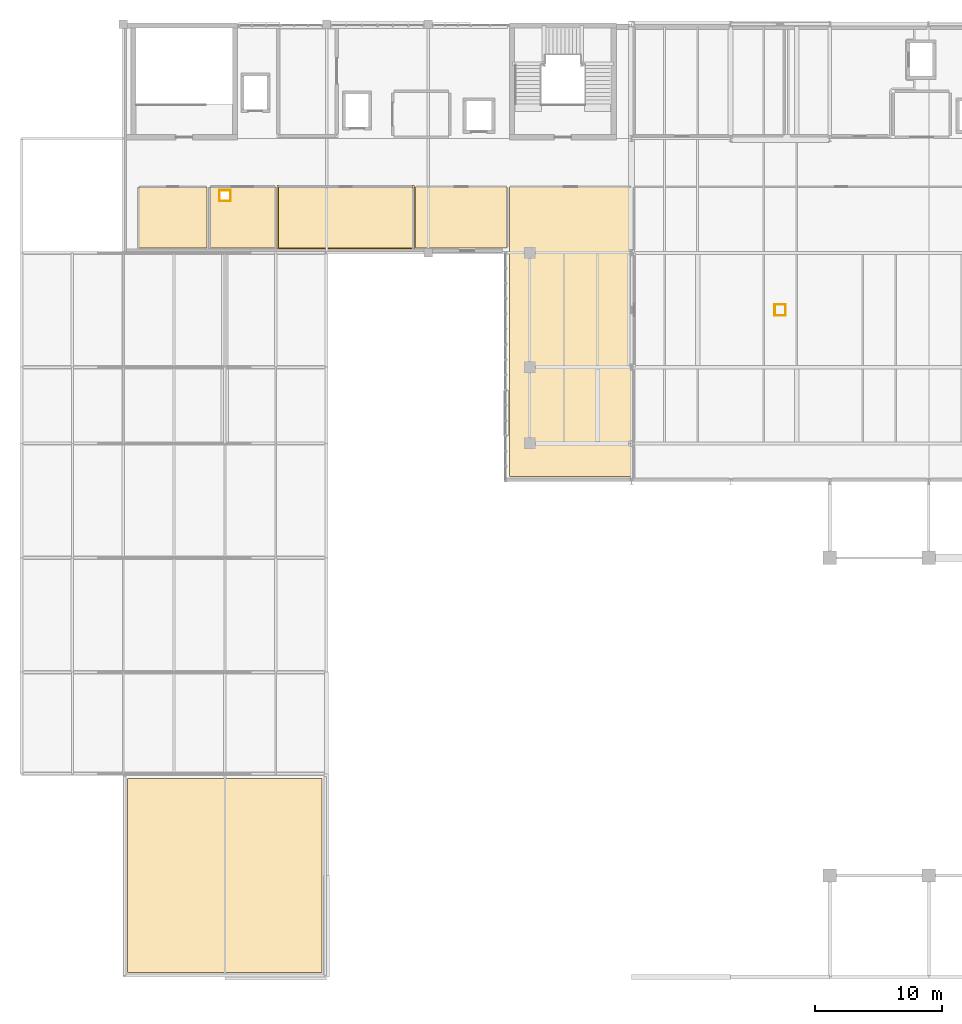
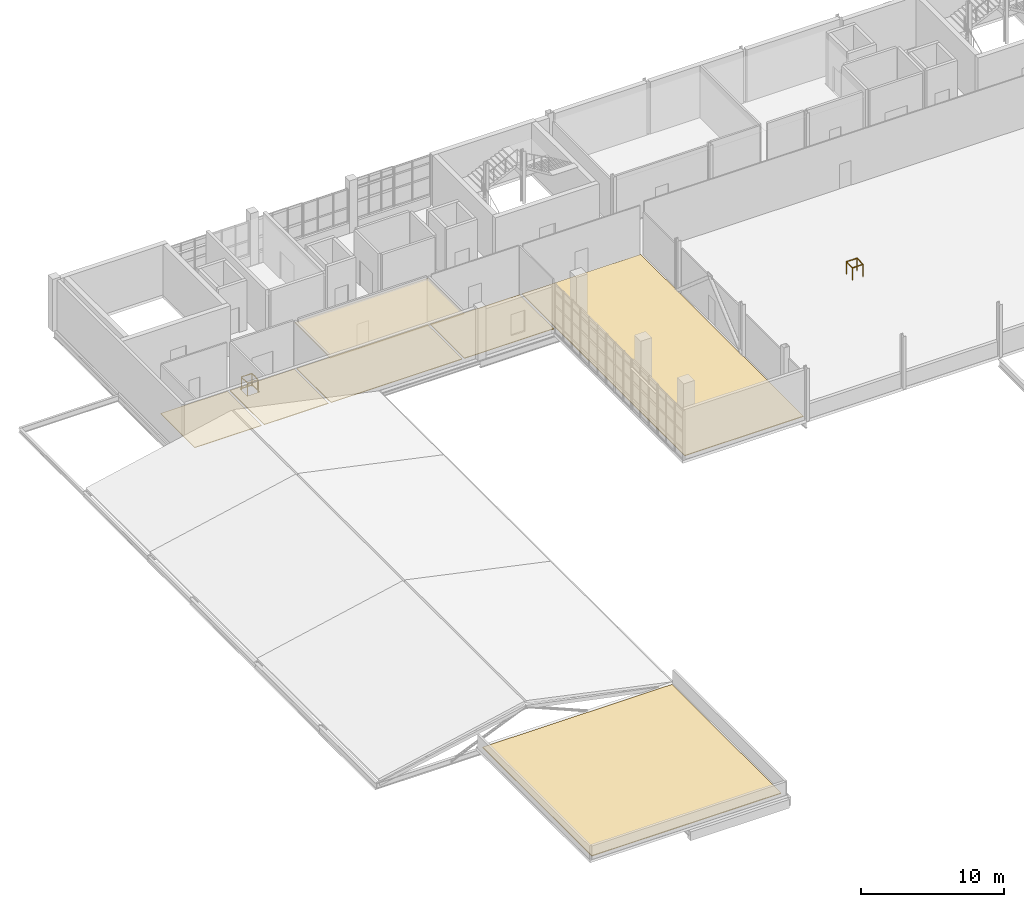
# One storey, part 36 of 38: 8 railings, 7 coverings.
"""IFC4 building model written with IfcOpenShell, lengths in metres."""

import ifcopenshell
import ifcopenshell.guid

model = None  # the IFC model being written
_history = None  # IfcOwnerHistory: only IFC2X3 demands one
_inside = {}  # id of a spatial element -> (the spatial element, [elements in it])
_under = {}  # id of a project, library or spatial element -> (it, [spatial elements below it])
_declared = {}  # id of a project -> (the project, [libraries it declares])
_typed = {}  # id of a type object -> (the type object, [elements of that type])
_made_of = {}  # id of a material, layer set ... -> (it, [elements and type objects made of it])


def new_model(schema):
    """Start an empty IFC model of exactly this schema.

    Asked for "IFC4X3", IfcOpenShell would pick the latest addendum, in which some entities
    have other attributes; the version numbers below select the first issue.
    IFC2X3 requires an IfcOwnerHistory on every rooted entity: one is made here for all.
    """
    global model, _history
    if schema == "IFC4X3":
        model = ifcopenshell.file(schema_version=(4, 3, 0, 0))
    else:
        model = ifcopenshell.file(schema=schema)
    _inside.clear()
    _under.clear()
    _declared.clear()
    _typed.clear()
    _made_of.clear()
    _history = None
    if model.schema == "IFC2X3":
        org = make("IfcOrganization", Name="unknown")
        user = make(
            "IfcPersonAndOrganization",
            ThePerson=make("IfcPerson", FamilyName="unknown"),
            TheOrganization=org,
        )
        app = make(
            "IfcApplication",
            ApplicationDeveloper=org,
            Version="unknown",
            ApplicationFullName="unknown",
            ApplicationIdentifier="unknown",
        )
        _history = make(
            "IfcOwnerHistory",
            OwningUser=user,
            OwningApplication=app,
            ChangeAction="ADDED",
            CreationDate=0,
        )
    return model


def make(cls, **values):
    """One entity of the class cls with the attributes given. An attribute that is None is left unset."""
    return model.create_entity(
        cls, **{name: value for name, value in values.items() if value is not None}
    )


def rooted(cls, **values):
    """An entity with a GlobalId (a new one), such as an element, a storey or a relation."""
    return make(cls, GlobalId=ifcopenshell.guid.new(), OwnerHistory=_history, **values)


def si_unit(unit_type, name, prefix=None):
    """IfcSIUnit, for example si_unit("LENGTHUNIT", "METRE", prefix="MILLI")."""
    return make("IfcSIUnit", UnitType=unit_type, Prefix=prefix, Name=name)


def derived_unit(unit_type, elements):
    """IfcDerivedUnit: a product of units, each with its exponent."""
    return make(
        "IfcDerivedUnit",
        Elements=[
            make("IfcDerivedUnitElement", Unit=unit, Exponent=power)
            for unit, power in elements
        ],
        UnitType=unit_type,
    )


def assignment(units):
    """IfcUnitAssignment: the units of a project."""
    return None if units is None else make("IfcUnitAssignment", Units=units)


def point(xyz):
    """IfcCartesianPoint."""
    return None if xyz is None else make("IfcCartesianPoint", Coordinates=xyz)


def direction(xyz):
    """IfcDirection."""
    return None if xyz is None else make("IfcDirection", DirectionRatios=xyz)


def frame(location, z_axis=None, x_axis=None):
    """IfcAxis2Placement3D, a coordinate frame: its origin and axes. An axis left out is left unset."""
    return make(
        "IfcAxis2Placement3D",
        Location=point(location),
        Axis=direction(z_axis),
        RefDirection=direction(x_axis),
    )


def frame_2d(location, x_axis=None):
    """IfcAxis2Placement2D, a coordinate frame in the plane: its origin and x axis."""
    return make(
        "IfcAxis2Placement2D", Location=point(location), RefDirection=direction(x_axis)
    )


def origin():
    """The frame at (0, 0, 0) with its axes left unset."""
    return frame((0.0, 0.0, 0.0))


def origin_2d():
    """The frame at (0, 0) in the plane with its x axis left unset."""
    return frame_2d((0.0, 0.0))


def place(relative_to, where):
    """IfcLocalPlacement: puts the frame where relative to a parent placement (None: the world)."""
    return make(
        "IfcLocalPlacement", PlacementRelTo=relative_to, RelativePlacement=where
    )


def context(
    kind, dimensions, precision=None, world=None, true_north=None, identifier=None
):
    """IfcGeometricRepresentationContext, for example the 3D "Model" context."""
    return make(
        "IfcGeometricRepresentationContext",
        ContextIdentifier=identifier,
        ContextType=kind,
        CoordinateSpaceDimension=dimensions,
        Precision=precision,
        WorldCoordinateSystem=world,
        TrueNorth=true_north,
    )


def subcontext(parent, identifier, kind, view, scale=None):
    """IfcGeometricRepresentationSubContext, for example "Body" below "Model"."""
    return make(
        "IfcGeometricRepresentationSubContext",
        ContextIdentifier=identifier,
        ContextType=kind,
        ParentContext=parent,
        TargetScale=scale,
        TargetView=view,
    )


def project(units=None, contexts=None):
    """IfcProject with its units and contexts."""
    return rooted(
        "IfcProject",
        Name="project",
        RepresentationContexts=contexts,
        UnitsInContext=assignment(units),
    )


def spatial(cls, under=None, at=None, **own):
    """A site, building, storey or space (cls), placed at a placement, below another one or the project."""
    s = rooted(cls, ObjectPlacement=at, **own)
    if under is not None:
        _under.setdefault(under.id(), (under, []))[1].append(s)
    return s


def polyline(points):
    """IfcPolyline through the points."""
    return make("IfcPolyline", Points=[point(p) for p in points])


def profile(cls, at=None, kind="AREA", **sizes):
    """A parametric profile (cls). Its sizes go by their IFC names, for example OverallWidth=200.0."""
    return make(cls, ProfileType=kind, Position=at, **sizes)


def circle(**sizes):
    """IfcCircleProfileDef."""
    return profile("IfcCircleProfileDef", **sizes)


def outline(outer, holes=None, kind="AREA"):
    """IfcArbitraryClosedProfileDef: a profile drawn as a closed curve; with holes, ...WithVoids."""
    if holes is None:
        return make("IfcArbitraryClosedProfileDef", ProfileType=kind, OuterCurve=outer)
    return make(
        "IfcArbitraryProfileDefWithVoids",
        ProfileType=kind,
        OuterCurve=outer,
        InnerCurves=holes,
    )


def extrude(swept, where, along, depth):
    """IfcExtrudedAreaSolid: the profile swept, set in the frame where, extruded along a direction by depth."""
    return make(
        "IfcExtrudedAreaSolid",
        SweptArea=swept,
        Position=where,
        ExtrudedDirection=direction(along),
        Depth=depth,
    )


def shape(context_of_items, identifier, shape_type, items):
    """IfcShapeRepresentation: the items that make up one representation, for example the "Body"."""
    return make(
        "IfcShapeRepresentation",
        ContextOfItems=context_of_items,
        RepresentationIdentifier=identifier,
        RepresentationType=shape_type,
        Items=items,
    )


def material(Name=None, Category=None):
    """IfcMaterial."""
    return make("IfcMaterial", Name=Name, Category=Category)


def layer(
    of_material, thickness, ventilated=None, Name=None, Category=None, Priority=None
):
    """IfcMaterialLayer: one layer of a wall or slab, of a material (None: an air gap)."""
    return make(
        "IfcMaterialLayer",
        Material=of_material,
        LayerThickness=thickness,
        IsVentilated=ventilated,
        Name=Name,
        Category=Category,
        Priority=Priority,
    )


def layer_set(layers, Name=None):
    """IfcMaterialLayerSet."""
    return make("IfcMaterialLayerSet", MaterialLayers=layers, LayerSetName=Name)


def made_of(thing, what):
    """Note that an element or type object is made of a material, layer set ...; save() writes the relation."""
    if what is not None:
        _made_of.setdefault(what.id(), (what, []))[1].append(thing)
    return thing


def type_object(cls, material=None, **own):
    """A type object (cls), such as IfcWallType, which elements share."""
    return made_of(rooted(cls, **own), material)


def element(
    cls,
    number,
    at=None,
    inside=None,
    cuts=None,
    type_object=None,
    material=None,
    context=None,
    identifier="Body",
    shape_type=None,
    held_by="IfcProductDefinitionShape",
    body=None,
    shapes=None,
    **own,
):
    """One element of the class cls, such as IfcWall. Its Tag is "e" and its number.

    at: its placement. inside: the storey or other place that contains it. cuts: it is an
    opening in that element (IfcRelVoidsElement). A single representation is given by context,
    identifier, shape_type and body (its items); several are given by shapes. held_by: the class
    of the entity that holds the representations. save() writes the other relations.
    """
    e = rooted(cls, Tag="e%d" % number, ObjectPlacement=at, **own)
    if body is not None:
        shapes = [shape(context, identifier, shape_type, body)]
    if shapes is not None:
        e.Representation = make(held_by, Representations=shapes)
    if inside is not None:
        _inside.setdefault(inside.id(), (inside, []))[1].append(e)
    if cuts is not None:
        rooted(
            "IfcRelVoidsElement", RelatingBuildingElement=cuts, RelatedOpeningElement=e
        )
    if type_object is not None:
        _typed.setdefault(type_object.id(), (type_object, []))[1].append(e)
    return made_of(e, material)


def aggregate(whole, parts):
    """IfcRelAggregates: a whole, such as a stair, and the parts it consists of."""
    return rooted("IfcRelAggregates", RelatingObject=whole, RelatedObjects=parts)


def save(model, path):
    """Write the relations noted so far, then the file.

    IfcRelAggregates (storeys below a building ...), IfcRelContainedInSpatialStructure (elements
    in a storey), IfcRelDefinesByType, IfcRelAssociatesMaterial and IfcRelDeclares: one each for
    every whole, place, type object, material and project.
    """
    for whole, parts in _under.values():
        aggregate(whole, parts)
    for where, things in _inside.values():
        rooted(
            "IfcRelContainedInSpatialStructure",
            RelatedElements=things,
            RelatingStructure=where,
        )
    for kind, things in _typed.values():
        rooted("IfcRelDefinesByType", RelatedObjects=things, RelatingType=kind)
    for what, things in _made_of.values():
        rooted("IfcRelAssociatesMaterial", RelatedObjects=things, RelatingMaterial=what)
    for by, libraries in _declared.values():
        rooted("IfcRelDeclares", RelatingContext=by, RelatedDefinitions=libraries)
    model.write(path)


model = new_model("IFC4")

# Units and contexts
model_context = context("Model", 3, precision=1e-05, world=origin(), true_north=direction((0.0, 1.0)))
body_context = subcontext(model_context, "Body", "Model", "MODEL_VIEW")
ifc_project = project(units=[si_unit("LENGTHUNIT", "METRE"), si_unit("AREAUNIT", "SQUARE_METRE"), si_unit("VOLUMEUNIT", "CUBIC_METRE"), si_unit("PLANEANGLEUNIT", "RADIAN"), si_unit("MASSUNIT", "GRAM", prefix="KILO"), derived_unit("THERMALTRANSMITTANCEUNIT", [(si_unit("POWERUNIT", "WATT"), 1), (si_unit("LENGTHUNIT", "METRE"), -2), (si_unit("THERMODYNAMICTEMPERATUREUNIT", "KELVIN"), -1)])], contexts=[model_context])

# Site, building, storey
site_placement = place(None, origin())
site = spatial("IfcSite", under=ifc_project, at=site_placement, CompositionType="ELEMENT")
building_placement = place(site_placement, origin())
building = spatial("IfcBuilding", under=site, at=building_placement, Name="Nallur Shell Playhouse", CompositionType="ELEMENT")
storey_placement = place(building_placement, frame((0.0, 0.0, 24.300048828125)))
storey = spatial("IfcBuildingStorey", under=building, at=storey_placement, Name="L06", CompositionType="ELEMENT", Elevation=24.300048828125)

# Coverings
ifc_material_1 = material(Name="Micro-Perforated Teak Veneer Acoustic Baffle Ceiling")
ifc_layer_1 = layer(ifc_material_1, 0.044921875)
ifc_layer_set_1 = layer_set([ifc_layer_1], Name="Micro-Perforated Teak Veneer Acoustic Baffle Ceiling")
covering_type_1 = type_object("IfcCoveringType", Name="CV-CEIL-AC1", PredefinedType="CEILING", material=ifc_layer_set_1)
covering_1_placement = place(storey_placement, frame((0.0, 0.0, 3.905029296875)))
element("IfcCovering", 1, at=covering_1_placement, inside=storey, type_object=covering_type_1, Name="Artistic Director & Executive Management Suite suspended acoustic ceiling", PredefinedType="CEILING", context=body_context, shape_type="SweptSolid", body=[
    extrude(outline(polyline([(36.090087890625, 65.2900390625), (36.090087890625, 70.31005859375), (46.909912109375, 70.31005859375), (46.909912109375, 65.2900390625), (36.090087890625, 65.2900390625)])), origin(), (0.0, 0.0, 1.0), 0.044921875),
])
ifc_material_2 = material(Name="Polished Chettinad Oxide & White Marble Terrazzo Flooring", Category="masonry")
ifc_layer_2 = layer(ifc_material_2, 0.050048828125)
ifc_layer_set_2 = layer_set([ifc_layer_2], Name="Polished Chettinad Oxide & White Marble Terrazzo Flooring")
covering_type_2 = type_object("IfcCoveringType", Name="CV-FLOR-TERRAZZO", PredefinedType="FLOORING", material=ifc_layer_set_2)
covering_2_placement = place(storey_placement, origin())
element("IfcCovering", 2, at=covering_2_placement, inside=storey, type_object=covering_type_2, Name="Artistic Director & Executive Management Suite floor finish", PredefinedType="FLOORING", context=body_context, shape_type="SweptSolid", body=[
    extrude(outline(polyline([(36.199951171875, 65.39990234375), (36.199951171875, 70.199951171875), (46.800048828125, 70.199951171875), (46.800048828125, 65.39990234375), (36.199951171875, 65.39990234375)])), origin(), (0.0, 0.0, 1.0), 0.050048828125),
])
covering_3_placement = place(storey_placement, origin())
element("IfcCovering", 3, at=covering_3_placement, inside=storey, type_object=covering_type_2, Name="Company Green-Room Pantry & Refreshment Bar floor finish", PredefinedType="FLOORING", context=body_context, shape_type="SweptSolid", body=[
    extrude(outline(polyline([(47.0, 65.39990234375), (47.0, 70.199951171875), (54.199951171875, 70.199951171875), (54.199951171875, 65.39990234375), (47.0, 65.39990234375)])), origin(), (0.0, 0.0, 1.0), 0.050048828125),
])
covering_4_placement = place(storey_placement, origin())
element("IfcCovering", 4, at=covering_4_placement, inside=storey, type_object=covering_type_2, Name="Level 06 Production & Gridiron Accessible Restroom floor finish", PredefinedType="FLOORING", context=body_context, shape_type="SweptSolid", body=[
    extrude(outline(polyline([(25.199951171875, 70.199951171875), (30.60009765625, 70.199951171875), (30.60009765625, 65.39990234375), (25.199951171875, 65.39990234375), (25.199951171875, 70.199951171875)])), origin(), (0.0, 0.0, 1.0), 0.050048828125),
])
ifc_material_3 = material(Name="Sprung Semi-Resilient Stage & Dance Hardwood Flooring", Category="wood")
ifc_layer_3 = layer(ifc_material_3, 0.054931640625)
ifc_layer_set_3 = layer_set([ifc_layer_3], Name="Sprung Semi-Resilient Stage & Dance Hardwood Flooring")
covering_type_3 = type_object("IfcCoveringType", Name="CV-FLOR-TIMBER", PredefinedType="FLOORING", material=ifc_layer_set_3)
covering_5_placement = place(storey_placement, origin())
element("IfcCovering", 5, at=covering_5_placement, inside=storey, type_object=covering_type_3, Name="Motorised Fly Winch & Rigging Control Room floor finish", PredefinedType="FLOORING", context=body_context, shape_type="SweptSolid", body=[
    extrude(outline(polyline([(54.39990234375, 47.39990234375), (54.39990234375, 70.199951171875), (64.0, 70.199951171875), (64.0, 47.39990234375), (54.39990234375, 47.39990234375)])), origin(), (0.0, 0.0, 1.0), 0.054931640625),
])
covering_6_placement = place(storey_placement, origin())
element("IfcCovering", 6, at=covering_6_placement, inside=storey, type_object=covering_type_3, Name="Experimental Drama & Mask Workshop floor finish", PredefinedType="FLOORING", context=body_context, shape_type="SweptSolid", body=[
    extrude(outline(polyline([(30.800048828125, 70.199951171875), (36.0, 70.199951171875), (36.0, 65.39990234375), (30.800048828125, 65.39990234375), (30.800048828125, 70.199951171875)]), holes=[polyline([(31.5, 70.0), (31.5, 69.0), (32.5, 69.0), (32.5, 70.0), (31.5, 70.0)])]), origin(), (0.0, 0.0, 1.0), 0.054931640625),
])
ifc_material_4 = material(Name="TPO Reflective Waterproofing & Rigid PIR Roof Insulation")
ifc_layer_4 = layer(ifc_material_4, 0.06494140625)
ifc_layer_set_4 = layer_set([ifc_layer_4], Name="TPO Reflective Waterproofing & Rigid PIR Roof Insulation")
covering_type_4 = type_object("IfcCoveringType", Name="CV-ROOF-MEMB1", PredefinedType="ROOFING", material=ifc_layer_set_4)
covering_7_placement = place(storey_placement, origin())
element("IfcCovering", 7, at=covering_7_placement, inside=storey, type_object=covering_type_4, Name="L06 insulated waterproof roof covering 33", PredefinedType="ROOFING", context=body_context, shape_type="SweptSolid", body=[
    extrude(outline(polyline([(24.35009765625, 23.64990234375), (39.64990234375, 23.64990234375), (39.64990234375, 8.35009765625), (24.35009765625, 8.35009765625), (24.35009765625, 23.64990234375)])), origin(), (0.0, 0.0, 1.0), 0.06494140625),
])

# Railings
ifc_material_5 = material(Name="Brushed Stainless Steel 316 Balustrade & Toughened Infill", Category="steel")
railing_type = type_object("IfcRailingType", Name="RL-GUARD-1100", PredefinedType="BALUSTRADE", material=ifc_material_5)
railing_1_placement = place(storey_placement, frame((31.570068359375, 69.070068359375, 0.0)))
element("IfcRailing", 8, at=railing_1_placement, inside=storey, type_object=railing_type, Name="L06 service riser edge guard 103", PredefinedType="BALUSTRADE", context=body_context, shape_type="SweptSolid", body=[
    extrude(circle(Radius=0.02392578125, at=origin_2d()), frame((0.0, 0.0, 1.09619140625), z_axis=(1.0, 0.0, 0.0), x_axis=(0.0, 1.0, 0.0)), (0.0, 0.0, 1.0), 0.85986328125),
    extrude(circle(Radius=0.02099609375, at=origin_2d()), origin(), (0.0, 0.0, 1.0), 1.072021484375),
    extrude(circle(Radius=0.02099609375, at=origin_2d()), frame((0.85986328125, 0.0, 0.0)), (0.0, 0.0, 1.0), 1.072021484375),
])
railing_2_placement = place(storey_placement, frame((32.429931640625, 69.070068359375, 0.0)))
element("IfcRailing", 9, at=railing_2_placement, inside=storey, type_object=railing_type, Name="L06 service riser edge guard 104", PredefinedType="BALUSTRADE", context=body_context, shape_type="SweptSolid", body=[
    extrude(circle(Radius=0.02392578125, at=origin_2d()), frame((0.0, 0.0, 1.09619140625), z_axis=(0.0, 1.0, 0.0), x_axis=(-1.0, 0.0, 0.0)), (0.0, 0.0, 1.0), 0.85986328125),
    extrude(circle(Radius=0.02099609375, at=origin_2d()), origin(), (0.0, 0.0, 1.0), 1.072021484375),
    extrude(circle(Radius=0.02099609375, at=origin_2d()), frame((0.0, 0.85986328125, 0.0)), (0.0, 0.0, 1.0), 1.072021484375),
])
railing_3_placement = place(storey_placement, frame((32.429931640625, 69.929931640625, 0.0)))
element("IfcRailing", 10, at=railing_3_placement, inside=storey, type_object=railing_type, Name="L06 service riser edge guard 105", PredefinedType="BALUSTRADE", context=body_context, shape_type="SweptSolid", body=[
    extrude(circle(Radius=0.02392578125, at=origin_2d()), frame((0.0, 0.0, 1.09619140625), z_axis=(-1.0, 0.0, 0.0), x_axis=(0.0, -1.0, 0.0)), (0.0, 0.0, 1.0), 0.85986328125),
    extrude(circle(Radius=0.02099609375, at=origin_2d()), origin(), (0.0, 0.0, 1.0), 1.072021484375),
    extrude(circle(Radius=0.02099609375, at=origin_2d()), frame((-0.85986328125, 0.0, 0.0)), (0.0, 0.0, 1.0), 1.072021484375),
])
railing_4_placement = place(storey_placement, frame((31.570068359375, 69.929931640625, 0.0)))
element("IfcRailing", 11, at=railing_4_placement, inside=storey, type_object=railing_type, Name="L06 service riser edge guard 106", PredefinedType="BALUSTRADE", context=body_context, shape_type="SweptSolid", body=[
    extrude(circle(Radius=0.02392578125, at=origin_2d()), frame((0.0, 0.0, 1.09619140625), z_axis=(0.0, -1.0, 0.0), x_axis=(1.0, 0.0, 0.0)), (0.0, 0.0, 1.0), 0.85986328125),
    extrude(circle(Radius=0.02099609375, at=origin_2d()), origin(), (0.0, 0.0, 1.0), 1.072021484375),
    extrude(circle(Radius=0.02099609375, at=origin_2d()), frame((0.0, -0.85986328125, 0.0)), (0.0, 0.0, 1.0), 1.072021484375),
])
railing_5_placement = place(storey_placement, frame((75.27001953125, 60.070068359375, 0.0)))
element("IfcRailing", 12, at=railing_5_placement, inside=storey, type_object=railing_type, Name="L06 service riser edge guard 107", PredefinedType="BALUSTRADE", context=body_context, shape_type="SweptSolid", body=[
    extrude(circle(Radius=0.02392578125, at=origin_2d()), frame((0.0, 0.0, 1.09619140625), z_axis=(1.0, 0.0, 0.0), x_axis=(0.0, 1.0, 0.0)), (0.0, 0.0, 1.0), 0.85986328125),
    extrude(circle(Radius=0.02099609375, at=origin_2d()), origin(), (0.0, 0.0, 1.0), 1.072021484375),
    extrude(circle(Radius=0.02099609375, at=origin_2d()), frame((0.85986328125, 0.0, 0.0)), (0.0, 0.0, 1.0), 1.072021484375),
])
railing_6_placement = place(storey_placement, frame((76.1298828125, 60.070068359375, 0.0)))
element("IfcRailing", 13, at=railing_6_placement, inside=storey, type_object=railing_type, Name="L06 service riser edge guard 108", PredefinedType="BALUSTRADE", context=body_context, shape_type="SweptSolid", body=[
    extrude(circle(Radius=0.02392578125, at=origin_2d()), frame((0.0, 0.0, 1.09619140625), z_axis=(0.0, 1.0, 0.0), x_axis=(-1.0, 0.0, 0.0)), (0.0, 0.0, 1.0), 0.85986328125),
    extrude(circle(Radius=0.02099609375, at=origin_2d()), origin(), (0.0, 0.0, 1.0), 1.072021484375),
    extrude(circle(Radius=0.02099609375, at=origin_2d()), frame((0.0, 0.85986328125, 0.0)), (0.0, 0.0, 1.0), 1.072021484375),
])
railing_7_placement = place(storey_placement, frame((76.1298828125, 60.929931640625, 0.0)))
element("IfcRailing", 14, at=railing_7_placement, inside=storey, type_object=railing_type, Name="L06 service riser edge guard 109", PredefinedType="BALUSTRADE", context=body_context, shape_type="SweptSolid", body=[
    extrude(circle(Radius=0.02392578125, at=origin_2d()), frame((0.0, 0.0, 1.09619140625), z_axis=(-1.0, 0.0, 0.0), x_axis=(0.0, -1.0, 0.0)), (0.0, 0.0, 1.0), 0.85986328125),
    extrude(circle(Radius=0.02099609375, at=origin_2d()), origin(), (0.0, 0.0, 1.0), 1.072021484375),
    extrude(circle(Radius=0.02099609375, at=origin_2d()), frame((-0.85986328125, 0.0, 0.0)), (0.0, 0.0, 1.0), 1.072021484375),
])
railing_8_placement = place(storey_placement, frame((75.27001953125, 60.929931640625, 0.0)))
element("IfcRailing", 15, at=railing_8_placement, inside=storey, type_object=railing_type, Name="L06 service riser edge guard 110", PredefinedType="BALUSTRADE", context=body_context, shape_type="SweptSolid", body=[
    extrude(circle(Radius=0.02392578125, at=origin_2d()), frame((0.0, 0.0, 1.09619140625), z_axis=(0.0, -1.0, 0.0), x_axis=(1.0, 0.0, 0.0)), (0.0, 0.0, 1.0), 0.85986328125),
    extrude(circle(Radius=0.02099609375, at=origin_2d()), origin(), (0.0, 0.0, 1.0), 1.072021484375),
    extrude(circle(Radius=0.02099609375, at=origin_2d()), frame((0.0, -0.85986328125, 0.0)), (0.0, 0.0, 1.0), 1.072021484375),
])

save(model, "model.ifc")
